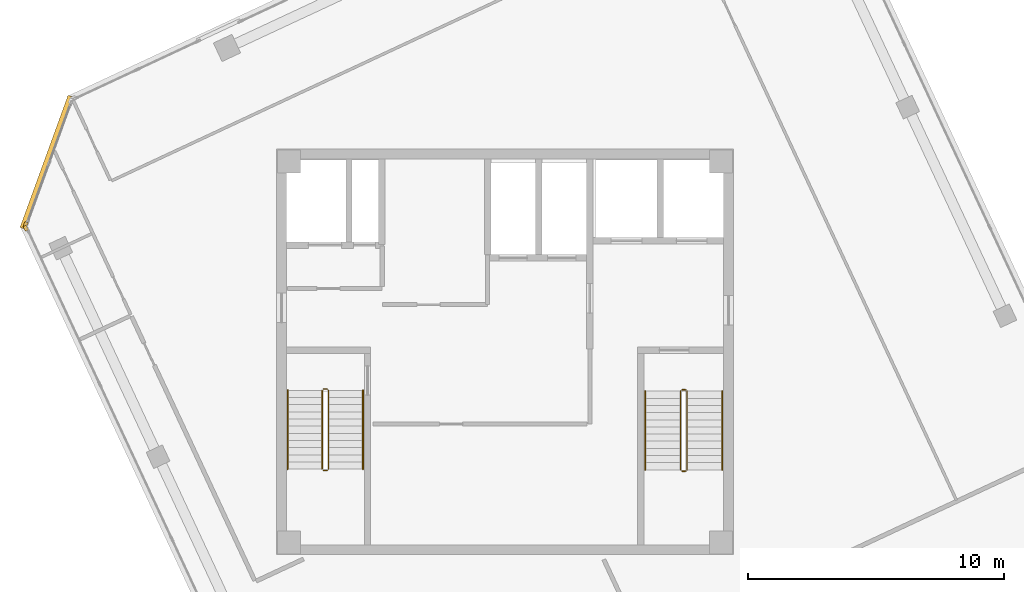
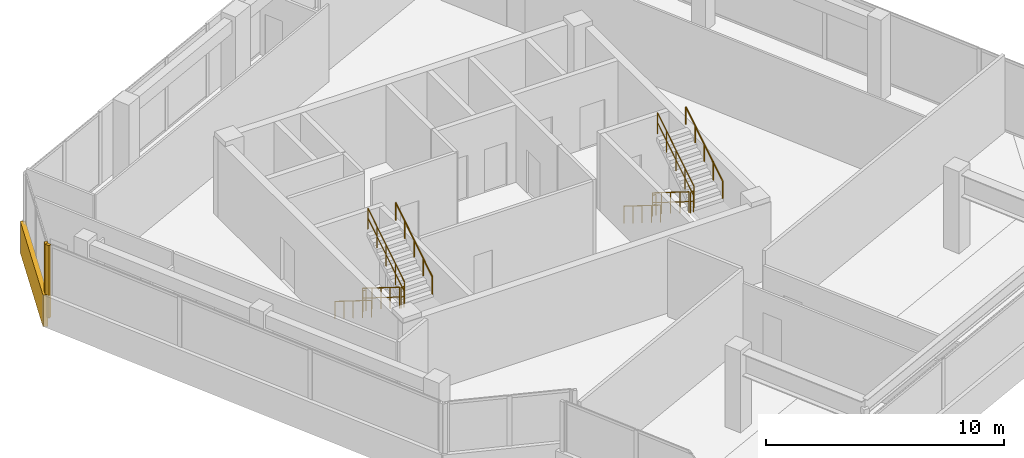
# One storey, part 16 of 17: 12 railings, 3 coverings.
"""IFC4 building model written with IfcOpenShell, lengths in metres."""

from ifc_helpers import new_model, si_unit, direction, frame, origin, origin_2d, place, context, subcontext, project, spatial, rectangle, circle, extrude, source, transform, mapped, material, layer, layer_set, type_object, element, save


model = new_model("IFC4")

# Units and contexts
model_context = context("Model", 3, precision=1e-05, world=origin(), true_north=direction((0.0, 1.0)))
body_context = subcontext(model_context, "Body", "Model", "MODEL_VIEW")
ifc_project = project(units=[si_unit("LENGTHUNIT", "METRE"), si_unit("AREAUNIT", "SQUARE_METRE"), si_unit("VOLUMEUNIT", "CUBIC_METRE"), si_unit("PLANEANGLEUNIT", "RADIAN"), si_unit("MASSUNIT", "GRAM", prefix="KILO")], contexts=[model_context])

# Site, building, storey
site_placement = place(None, origin())
site = spatial("IfcSite", under=ifc_project, at=site_placement, CompositionType="ELEMENT")
building_placement = place(site_placement, origin())
building = spatial("IfcBuilding", under=site, at=building_placement, Name="Torre Montelarca", CompositionType="ELEMENT")
storey_placement = place(building_placement, frame((0.0, 0.0, 340.800048828125)))
storey = spatial("IfcBuildingStorey", under=building, at=storey_placement, Name="L77", CompositionType="ELEMENT", Elevation=340.800048828125)

# Railings
ifc_material_1 = material(Name="Powder-coated steel ASTM A500 Grade C", Category="steel")
railing_type_1 = type_object("IfcRailingType", Name="RL-GUARD-1100", PredefinedType="BALUSTRADE", material=ifc_material_1)
railing_1_placement = place(storey_placement, frame((10.85009765625, 30.5, 0.175048828125)))
element("IfcRailing", 1, at=railing_1_placement, inside=storey, type_object=railing_type_1, Name="L77 ST1 stair guard 1", PredefinedType="BALUSTRADE", context=body_context, shape_type="SweptSolid", body=[
    extrude(circle(Radius=0.02392578125, at=origin_2d()), frame((0.0, 0.0, 1.076171875), z_axis=(0.0, -0.848028513186, 0.529950602248), x_axis=(1.0, 0.0, 0.0)), (0.0, 0.0, 1.0), 3.632080078125),
    extrude(circle(Radius=0.02099609375, at=origin_2d()), frame((0.0, 0.0, 0.572021484375), z_axis=(0.0, -0.848028513186, 0.529950602248), x_axis=(1.0, 0.0, 0.0)), (0.0, 0.0, 1.0), 3.632080078125),
    extrude(circle(Radius=0.02099609375, at=origin_2d()), origin(), (0.0, 0.0, 1.0), 1.052001953125),
    extrude(circle(Radius=0.02099609375, at=origin_2d()), frame((0.0, -0.77001953125, 0.481201171875)), (0.0, 0.0, 1.0), 1.052001953125),
    extrude(circle(Radius=0.02099609375, at=origin_2d()), frame((0.0, -1.5400390625, 0.96240234375)), (0.0, 0.0, 1.0), 1.052001953125),
    extrude(circle(Radius=0.02099609375, at=origin_2d()), frame((0.0, -2.31005859375, 1.443603515625)), (0.0, 0.0, 1.0), 1.052001953125),
    extrude(circle(Radius=0.02099609375, at=origin_2d()), frame((0.0, -3.080078125, 1.9248046875)), (0.0, 0.0, 1.0), 1.052001953125),
])
railing_2_placement = place(storey_placement, frame((10.89990234375, 27.3701171875, 2.099853515625)))
element("IfcRailing", 2, at=railing_2_placement, inside=storey, type_object=railing_type_1, Name="L77 ST1 stair guard 2", PredefinedType="BALUSTRADE", context=body_context, shape_type="SweptSolid", body=[
    extrude(circle(Radius=0.02392578125, at=origin_2d()), frame((0.0, 0.0, 1.076171875), z_axis=(1.0, 0.0, 0.0), x_axis=(0.0, 1.0, 0.0)), (0.0, 0.0, 1.0), 0.150146484375),
    extrude(circle(Radius=0.02099609375, at=origin_2d()), frame((0.0, 0.0, 0.572021484375), z_axis=(1.0, 0.0, 0.0), x_axis=(0.0, 1.0, 0.0)), (0.0, 0.0, 1.0), 0.150146484375),
    extrude(circle(Radius=0.02099609375, at=origin_2d()), origin(), (0.0, 0.0, 1.0), 1.052001953125),
    extrude(circle(Radius=0.02099609375, at=origin_2d()), frame((0.150146484375, 0.0, 0.0)), (0.0, 0.0, 1.0), 1.052001953125),
])
railing_3_placement = place(storey_placement, frame((11.10009765625, 27.419921875, 2.27490234375)))
element("IfcRailing", 3, at=railing_3_placement, inside=storey, type_object=railing_type_1, Name="L77 ST1 stair guard 3", PredefinedType="BALUSTRADE", context=body_context, shape_type="SweptSolid", body=[
    extrude(circle(Radius=0.02392578125, at=origin_2d()), frame((0.0, 0.0, 1.076171875), z_axis=(0.0, 0.847998304005, 0.529998940003), x_axis=(-1.0, 0.0, 0.0)), (0.0, 0.0, 1.0), 3.632080078125),
    extrude(circle(Radius=0.02099609375, at=origin_2d()), frame((0.0, 0.0, 0.572021484375), z_axis=(0.0, 0.847998304005, 0.529998940003), x_axis=(-1.0, 0.0, 0.0)), (0.0, 0.0, 1.0), 3.632080078125),
    extrude(circle(Radius=0.02099609375, at=origin_2d()), origin(), (0.0, 0.0, 1.0), 1.052001953125),
    extrude(circle(Radius=0.02099609375, at=origin_2d()), frame((0.0, 0.77001953125, 0.481201171875)), (0.0, 0.0, 1.0), 1.052001953125),
    extrude(circle(Radius=0.02099609375, at=origin_2d()), frame((0.0, 1.5400390625, 0.96240234375)), (0.0, 0.0, 1.0), 1.052001953125),
    extrude(circle(Radius=0.02099609375, at=origin_2d()), frame((0.0, 2.31005859375, 1.44384765625)), (0.0, 0.0, 1.0), 1.052001953125),
    extrude(circle(Radius=0.02099609375, at=origin_2d()), frame((0.0, 3.080078125, 1.925048828125)), (0.0, 0.0, 1.0), 1.052001953125),
])
railing_4_placement = place(storey_placement, frame((10.89990234375, 30.550048828125, 0.0)))
element("IfcRailing", 4, at=railing_4_placement, inside=storey, type_object=railing_type_1, Name="L77 ST1 stair guard 4", PredefinedType="BALUSTRADE", context=body_context, shape_type="SweptSolid", body=[
    extrude(circle(Radius=0.02392578125, at=origin_2d()), frame((0.0, 0.0, 1.076171875), z_axis=(1.0, 0.0, 0.0), x_axis=(0.0, 1.0, 0.0)), (0.0, 0.0, 1.0), 0.150146484375),
    extrude(circle(Radius=0.02099609375, at=origin_2d()), frame((0.0, 0.0, 0.572021484375), z_axis=(1.0, 0.0, 0.0), x_axis=(0.0, 1.0, 0.0)), (0.0, 0.0, 1.0), 0.150146484375),
    extrude(circle(Radius=0.02099609375, at=origin_2d()), origin(), (0.0, 0.0, 1.0), 1.052001953125),
    extrude(circle(Radius=0.02099609375, at=origin_2d()), frame((0.150146484375, 0.0, 0.0)), (0.0, 0.0, 1.0), 1.052001953125),
])
railing_5_placement = place(storey_placement, frame((24.8701171875, 30.469970703125, 0.175048828125)))
element("IfcRailing", 5, at=railing_5_placement, inside=storey, type_object=railing_type_1, Name="L77 ST2 stair guard 1", PredefinedType="BALUSTRADE", context=body_context, shape_type="SweptSolid", body=[
    extrude(circle(Radius=0.02392578125, at=origin_2d()), frame((0.0, 0.0, 1.076171875), z_axis=(0.0, -0.848028513186, 0.529950602248), x_axis=(1.0, 0.0, 0.0)), (0.0, 0.0, 1.0), 3.632080078125),
    extrude(circle(Radius=0.02099609375, at=origin_2d()), frame((0.0, 0.0, 0.572021484375), z_axis=(0.0, -0.848028513186, 0.529950602248), x_axis=(1.0, 0.0, 0.0)), (0.0, 0.0, 1.0), 3.632080078125),
    extrude(circle(Radius=0.02099609375, at=origin_2d()), origin(), (0.0, 0.0, 1.0), 1.052001953125),
    extrude(circle(Radius=0.02099609375, at=origin_2d()), frame((0.0, -0.77001953125, 0.481201171875)), (0.0, 0.0, 1.0), 1.052001953125),
    extrude(circle(Radius=0.02099609375, at=origin_2d()), frame((0.0, -1.5400390625, 0.96240234375)), (0.0, 0.0, 1.0), 1.052001953125),
    extrude(circle(Radius=0.02099609375, at=origin_2d()), frame((0.0, -2.31005859375, 1.443603515625)), (0.0, 0.0, 1.0), 1.052001953125),
    extrude(circle(Radius=0.02099609375, at=origin_2d()), frame((0.0, -3.080078125, 1.9248046875)), (0.0, 0.0, 1.0), 1.052001953125),
])
railing_6_placement = place(storey_placement, frame((24.919921875, 27.340087890625, 2.099853515625)))
element("IfcRailing", 6, at=railing_6_placement, inside=storey, type_object=railing_type_1, Name="L77 ST2 stair guard 2", PredefinedType="BALUSTRADE", context=body_context, shape_type="SweptSolid", body=[
    extrude(circle(Radius=0.02392578125, at=origin_2d()), frame((0.0, 0.0, 1.076171875), z_axis=(1.0, 0.0, 0.0), x_axis=(0.0, 1.0, 0.0)), (0.0, 0.0, 1.0), 0.150146484375),
    extrude(circle(Radius=0.02099609375, at=origin_2d()), frame((0.0, 0.0, 0.572021484375), z_axis=(1.0, 0.0, 0.0), x_axis=(0.0, 1.0, 0.0)), (0.0, 0.0, 1.0), 0.150146484375),
    extrude(circle(Radius=0.02099609375, at=origin_2d()), origin(), (0.0, 0.0, 1.0), 1.052001953125),
    extrude(circle(Radius=0.02099609375, at=origin_2d()), frame((0.150146484375, 0.0, 0.0)), (0.0, 0.0, 1.0), 1.052001953125),
])
railing_7_placement = place(storey_placement, frame((25.1201171875, 27.389892578125, 2.27490234375)))
element("IfcRailing", 7, at=railing_7_placement, inside=storey, type_object=railing_type_1, Name="L77 ST2 stair guard 3", PredefinedType="BALUSTRADE", context=body_context, shape_type="SweptSolid", body=[
    extrude(circle(Radius=0.02392578125, at=origin_2d()), frame((0.0, 0.0, 1.076171875), z_axis=(0.0, 0.847998304005, 0.529998940003), x_axis=(-1.0, 0.0, 0.0)), (0.0, 0.0, 1.0), 3.632080078125),
    extrude(circle(Radius=0.02099609375, at=origin_2d()), frame((0.0, 0.0, 0.572021484375), z_axis=(0.0, 0.847998304005, 0.529998940003), x_axis=(-1.0, 0.0, 0.0)), (0.0, 0.0, 1.0), 3.632080078125),
    extrude(circle(Radius=0.02099609375, at=origin_2d()), origin(), (0.0, 0.0, 1.0), 1.052001953125),
    extrude(circle(Radius=0.02099609375, at=origin_2d()), frame((0.0, 0.77001953125, 0.481201171875)), (0.0, 0.0, 1.0), 1.052001953125),
    extrude(circle(Radius=0.02099609375, at=origin_2d()), frame((0.0, 1.5400390625, 0.96240234375)), (0.0, 0.0, 1.0), 1.052001953125),
    extrude(circle(Radius=0.02099609375, at=origin_2d()), frame((0.0, 2.31005859375, 1.44384765625)), (0.0, 0.0, 1.0), 1.052001953125),
    extrude(circle(Radius=0.02099609375, at=origin_2d()), frame((0.0, 3.080078125, 1.925048828125)), (0.0, 0.0, 1.0), 1.052001953125),
])
railing_8_placement = place(storey_placement, frame((24.919921875, 30.52001953125, 0.0)))
element("IfcRailing", 8, at=railing_8_placement, inside=storey, type_object=railing_type_1, Name="L77 ST2 stair guard 4", PredefinedType="BALUSTRADE", context=body_context, shape_type="SweptSolid", body=[
    extrude(circle(Radius=0.02392578125, at=origin_2d()), frame((0.0, 0.0, 1.076171875), z_axis=(1.0, 0.0, 0.0), x_axis=(0.0, 1.0, 0.0)), (0.0, 0.0, 1.0), 0.150146484375),
    extrude(circle(Radius=0.02099609375, at=origin_2d()), frame((0.0, 0.0, 0.572021484375), z_axis=(1.0, 0.0, 0.0), x_axis=(0.0, 1.0, 0.0)), (0.0, 0.0, 1.0), 0.150146484375),
    extrude(circle(Radius=0.02099609375, at=origin_2d()), origin(), (0.0, 0.0, 1.0), 1.052001953125),
    extrude(circle(Radius=0.02099609375, at=origin_2d()), frame((0.150146484375, 0.0, 0.0)), (0.0, 0.0, 1.0), 1.052001953125),
])
ifc_material_2 = material(Name="Brushed stainless steel AISI 316", Category="steel")
railing_type_2 = type_object("IfcRailingType", Name="RL-HANDRAIL-900", PredefinedType="HANDRAIL", material=ifc_material_2)
railing_9_placement = place(storey_placement, frame((9.5, 30.5, 0.175048828125)))
element("IfcRailing", 9, at=railing_9_placement, inside=storey, type_object=railing_type_2, Name="L77 ST1 stair handrail 1", PredefinedType="HANDRAIL", context=body_context, shape_type="SweptSolid", body=[
    extrude(circle(Radius=0.02392578125, at=origin_2d()), frame((0.0, 0.0, 0.8759765625), z_axis=(0.0, -0.848028513186, 0.529950602248), x_axis=(1.0, 0.0, 0.0)), (0.0, 0.0, 1.0), 3.632080078125),
    extrude(circle(Radius=0.02099609375, at=origin_2d()), origin(), (0.0, 0.0, 1.0), 0.851806640625),
    extrude(circle(Radius=0.02099609375, at=origin_2d()), frame((0.0, -0.77001953125, 0.481201171875)), (0.0, 0.0, 1.0), 0.851806640625),
    extrude(circle(Radius=0.02099609375, at=origin_2d()), frame((0.0, -1.5400390625, 0.96240234375)), (0.0, 0.0, 1.0), 0.851806640625),
    extrude(circle(Radius=0.02099609375, at=origin_2d()), frame((0.0, -2.31005859375, 1.443603515625)), (0.0, 0.0, 1.0), 0.851806640625),
    extrude(circle(Radius=0.02099609375, at=origin_2d()), frame((0.0, -3.080078125, 1.9248046875)), (0.0, 0.0, 1.0), 0.851806640625),
])
railing_10_placement = place(storey_placement, frame((12.449951171875, 27.419921875, 2.27490234375)))
element("IfcRailing", 10, at=railing_10_placement, inside=storey, type_object=railing_type_2, Name="L77 ST1 stair handrail 2", PredefinedType="HANDRAIL", context=body_context, shape_type="SweptSolid", body=[
    extrude(circle(Radius=0.02392578125, at=origin_2d()), frame((0.0, 0.0, 0.8759765625), z_axis=(0.0, 0.847998304005, 0.529998940003), x_axis=(-1.0, 0.0, 0.0)), (0.0, 0.0, 1.0), 3.632080078125),
    extrude(circle(Radius=0.02099609375, at=origin_2d()), origin(), (0.0, 0.0, 1.0), 0.851806640625),
    extrude(circle(Radius=0.02099609375, at=origin_2d()), frame((0.0, 0.77001953125, 0.481201171875)), (0.0, 0.0, 1.0), 0.851806640625),
    extrude(circle(Radius=0.02099609375, at=origin_2d()), frame((0.0, 1.5400390625, 0.96240234375)), (0.0, 0.0, 1.0), 0.851806640625),
    extrude(circle(Radius=0.02099609375, at=origin_2d()), frame((0.0, 2.31005859375, 1.44384765625)), (0.0, 0.0, 1.0), 0.851806640625),
    extrude(circle(Radius=0.02099609375, at=origin_2d()), frame((0.0, 3.080078125, 1.925048828125)), (0.0, 0.0, 1.0), 0.851806640625),
])
railing_11_placement = place(storey_placement, frame((23.489990234375, 30.469970703125, 0.175048828125)))
element("IfcRailing", 11, at=railing_11_placement, inside=storey, type_object=railing_type_2, Name="L77 ST2 stair handrail 1", PredefinedType="HANDRAIL", context=body_context, shape_type="SweptSolid", body=[
    extrude(circle(Radius=0.02392578125, at=origin_2d()), frame((0.0, 0.0, 0.8759765625), z_axis=(0.0, -0.848028513186, 0.529950602248), x_axis=(1.0, 0.0, 0.0)), (0.0, 0.0, 1.0), 3.632080078125),
    extrude(circle(Radius=0.02099609375, at=origin_2d()), origin(), (0.0, 0.0, 1.0), 0.851806640625),
    extrude(circle(Radius=0.02099609375, at=origin_2d()), frame((0.0, -0.77001953125, 0.481201171875)), (0.0, 0.0, 1.0), 0.851806640625),
    extrude(circle(Radius=0.02099609375, at=origin_2d()), frame((0.0, -1.5400390625, 0.96240234375)), (0.0, 0.0, 1.0), 0.851806640625),
    extrude(circle(Radius=0.02099609375, at=origin_2d()), frame((0.0, -2.31005859375, 1.443603515625)), (0.0, 0.0, 1.0), 0.851806640625),
    extrude(circle(Radius=0.02099609375, at=origin_2d()), frame((0.0, -3.080078125, 1.9248046875)), (0.0, 0.0, 1.0), 0.851806640625),
])
railing_12_placement = place(storey_placement, frame((26.5, 27.389892578125, 2.27490234375)))
element("IfcRailing", 12, at=railing_12_placement, inside=storey, type_object=railing_type_2, Name="L77 ST2 stair handrail 2", PredefinedType="HANDRAIL", context=body_context, shape_type="SweptSolid", body=[
    extrude(circle(Radius=0.02392578125, at=origin_2d()), frame((0.0, 0.0, 0.8759765625), z_axis=(0.0, 0.847998304005, 0.529998940003), x_axis=(-1.0, 0.0, 0.0)), (0.0, 0.0, 1.0), 3.632080078125),
    extrude(circle(Radius=0.02099609375, at=origin_2d()), origin(), (0.0, 0.0, 1.0), 0.851806640625),
    extrude(circle(Radius=0.02099609375, at=origin_2d()), frame((0.0, 0.77001953125, 0.481201171875)), (0.0, 0.0, 1.0), 0.851806640625),
    extrude(circle(Radius=0.02099609375, at=origin_2d()), frame((0.0, 1.5400390625, 0.96240234375)), (0.0, 0.0, 1.0), 0.851806640625),
    extrude(circle(Radius=0.02099609375, at=origin_2d()), frame((0.0, 2.31005859375, 1.44384765625)), (0.0, 0.0, 1.0), 0.851806640625),
    extrude(circle(Radius=0.02099609375, at=origin_2d()), frame((0.0, 3.080078125, 1.925048828125)), (0.0, 0.0, 1.0), 0.851806640625),
])

# Coverings
ifc_material_3 = material(Name="Bush-hammered warm white precast concrete C45/55", Category="concrete")
ifc_layer = layer(ifc_material_3, 0.139892578125, Name="Bush-hammered warm white precast concrete C45/55", Category="concrete")
ifc_layer_set = layer_set([ifc_layer], Name="Bush-hammered warm white precast concrete C45/55")
covering_type = type_object("IfcCoveringType", Name="COV-TRAY-CLAD", PredefinedType="CLADDING", material=ifc_layer_set)
shared_shape_1 = source(origin(), body_context, "Body", "SweptSolid", [
    extrude(rectangle(XDim=0.199951171875, YDim=0.139892578125, at=origin_2d()), origin(), (0.0, 0.0, 1.0), 3.719970703125),
])
for number, where, z_axis, x_axis, name in (
    (13, (-0.738525390625, 36.839111328125, 0.0), (0.0, 0.0, 1.0), (0.422616679935, -0.906308524643, 0.0), "L77 Architectural Column Pier Cladding E01-1"),
    (14, (-0.7451171875, 36.984130859375, 0.0), (0.0, 0.0, 1.0), (-0.342010302869, -0.939696202361, 0.0), "L77 Architectural Column Pier Cladding E11-2"),
):
    element("IfcCovering", number, at=place(storey_placement, frame(where, z_axis=z_axis, x_axis=x_axis)), inside=storey, type_object=covering_type, Name=name, PredefinedType="CLADDING", context=body_context, shape_type="MappedRepresentation", body=[
        mapped(shared_shape_1, transform((0.0, 0.0, 0.0), scale=1.0)),
    ])
shared_shape_2 = source(origin(), body_context, "Body", "SweptSolid", [
    extrude(rectangle(XDim=5.493896484375, YDim=0.219970703125, at=origin_2d()), origin(), (0.0, 0.0, 1.0), 1.6201171875),
])
covering_placement = place(storey_placement, frame((0.077880859375, 39.420654296875, -0.4501953125), z_axis=(0.0, 0.0, 1.0), x_axis=(-0.342018503252, -0.939693217722, 0.0)))
element("IfcCovering", 15, at=covering_placement, inside=storey, type_object=covering_type, Name="L77 Architectural White Spandrel Tray Band TRYBOT-11", PredefinedType="CLADDING", context=body_context, shape_type="MappedRepresentation", body=[
    mapped(shared_shape_2, transform((0.0, 0.0, 0.0), scale=1.0)),
])

save(model, "model.ifc")
